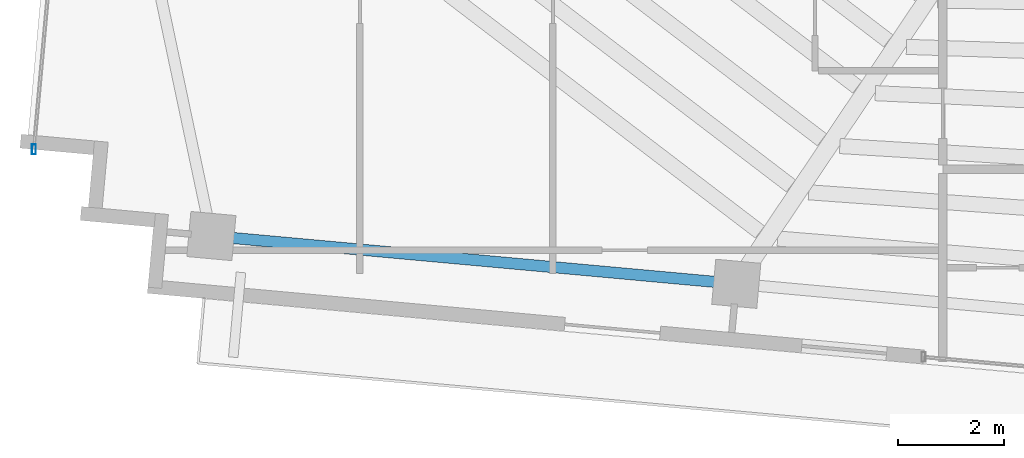
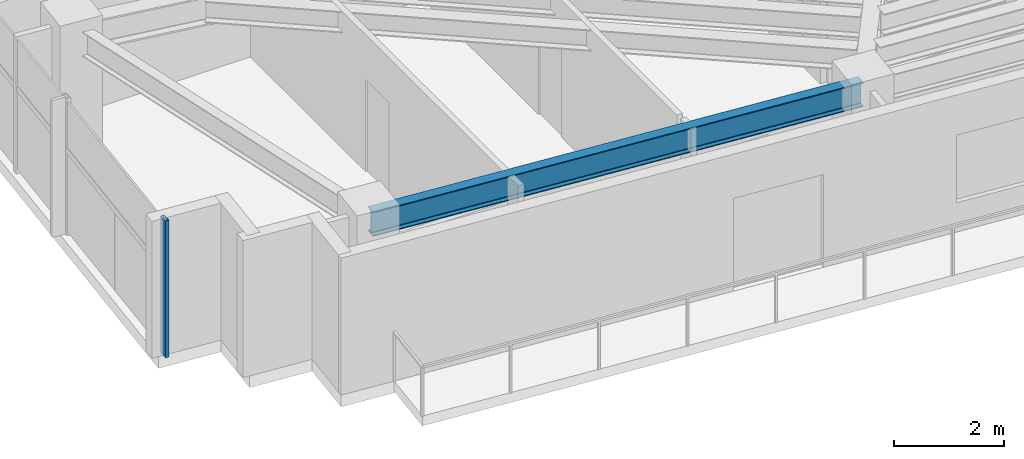
# One storey, part 2 of 22: 1 beam, 1 member, 1 element without a shape of its own.
"""IFC4 building model written with IfcOpenShell, lengths in metres."""

from ifc_helpers import new_model, si_unit, direction, frame, origin, origin_2d, place, context, subcontext, project, spatial, hollow_rectangle, i_section, extrude, source, transform, mapped, material, material_profile, profile_set, type_object, type_shapes, element, aggregate, save


model = new_model("IFC4")

# Units and contexts
model_context = context("Model", 3, precision=1e-05, world=origin(), true_north=direction((0.0, 1.0)))
body_context = subcontext(model_context, "Body", "Model", "MODEL_VIEW")
ifc_project = project(units=[si_unit("LENGTHUNIT", "METRE"), si_unit("AREAUNIT", "SQUARE_METRE"), si_unit("VOLUMEUNIT", "CUBIC_METRE"), si_unit("PLANEANGLEUNIT", "RADIAN"), si_unit("MASSUNIT", "GRAM", prefix="KILO")], contexts=[model_context])

# Site, building, storey
site_placement = place(None, origin())
site = spatial("IfcSite", under=ifc_project, at=site_placement, CompositionType="ELEMENT")
building_placement = place(site_placement, origin())
building = spatial("IfcBuilding", under=site, at=building_placement, Name="Astriad Promenade Condominiums", CompositionType="ELEMENT")
storey_placement = place(building_placement, frame((0.0, 0.0, 243.0)))
storey = spatial("IfcBuildingStorey", under=building, at=storey_placement, Name="L70", CompositionType="ELEMENT", Elevation=243.0)

# Beam
ifc_material_1 = material(Name="Steel ASTM A992 Grade 50", Category="steel")
ifc_material_profile_1 = material_profile(ifc_material_1, i_section(OverallWidth=0.210693359375, OverallDepth=0.53955078125, WebThickness=0.01171875, FlangeThickness=0.018798828125, FilletRadius=0.0166015625, at=origin_2d()), Name="W21X73")
ifc_profile_set_1 = profile_set([ifc_material_profile_1], Name="Steel ASTM A992 Grade 50")
beam_type = type_object("IfcBeamType", Name="STEEL SPANDREL BEAM W21X73", PredefinedType="SPANDREL", material=ifc_profile_set_1)
shared_shape_1 = source(origin(), body_context, "Body", "SweptSolid", [
    extrude(i_section(OverallWidth=0.210693359375, OverallDepth=0.53955078125, WebThickness=0.01171875, FlangeThickness=0.018798828125, FilletRadius=0.0166015625, at=origin_2d()), origin(), (0.0, 0.0, 1.0), 9.8203125),
])
type_shapes(beam_type, [shared_shape_1])
beam_placement = place(storey_placement, frame((12.421630859375, 12.102783203125, 2.770263671875), z_axis=(0.995883419264, -0.090643340822, 0.0), x_axis=(0.090643340822, 0.995883419264, 0.0)))
element("IfcBeam", 1, at=beam_placement, inside=storey, type_object=beam_type, Name="Perimeter Spandrel Beam SP-S1-L70", PredefinedType="SPANDREL", context=body_context, shape_type="MappedRepresentation", body=[
    mapped(shared_shape_1, transform((0.0, 0.0, 0.0), scale=1.0)),
])

# Curtain wall, member
ifc_material_2 = material(Name="Anodised aluminium Black Dark Glass Unitised", Category="aluminium")
curtain_wall_type = type_object("IfcCurtainWallType", Name="CW-B5-DARK", PredefinedType="USERDEFINED", material=ifc_material_2)
curtain_wall_placement = place(storey_placement, origin())
curtain_wall = element("IfcCurtainWall", 2, at=curtain_wall_placement, inside=storey, type_object=curtain_wall_type, Name="CW-L70-W", ObjectType="UNITISED_CURTAIN_WALL", PredefinedType="USERDEFINED")
ifc_material_3 = material(Name="Anodised aluminium 6063-T6 Black", Category="aluminium")
ifc_material_profile_2 = material_profile(ifc_material_3, hollow_rectangle(XDim=0.074951171875, YDim=0.18505859375, WallThickness=0.00439453125, at=origin_2d()), Name="ALU-MUL-75X185")
ifc_profile_set_2 = profile_set([ifc_material_profile_2], Name="Anodised aluminium 6063-T6 Black")
member_type = type_object("IfcMemberType", Name="MUL-ALU-MUL-75X185", PredefinedType="MULLION", material=ifc_profile_set_2)
shared_shape_2 = source(origin(), body_context, "Body", "SweptSolid", [
    extrude(hollow_rectangle(XDim=0.074951171875, YDim=0.18505859375, WallThickness=0.00439453125, at=origin_2d()), origin(), (0.0, 0.0, 1.0), 3.0400390625),
])
type_shapes(member_type, [shared_shape_2])
member_placement = place(storey_placement, frame((9.0458984375, 13.7353515625, 0.0), z_axis=(0.0, 0.0, 1.0), x_axis=(1.0, 0.0, 0.0)))
member = element("IfcMember", 3, at=member_placement, type_object=member_type, Name="CW-L70-W-MUL-00", PredefinedType="MULLION", context=body_context, shape_type="MappedRepresentation", body=[
    mapped(shared_shape_2, transform((0.0, 0.0, 0.0), scale=1.0)),
])
aggregate(curtain_wall, [member])

save(model, "model.ifc")
